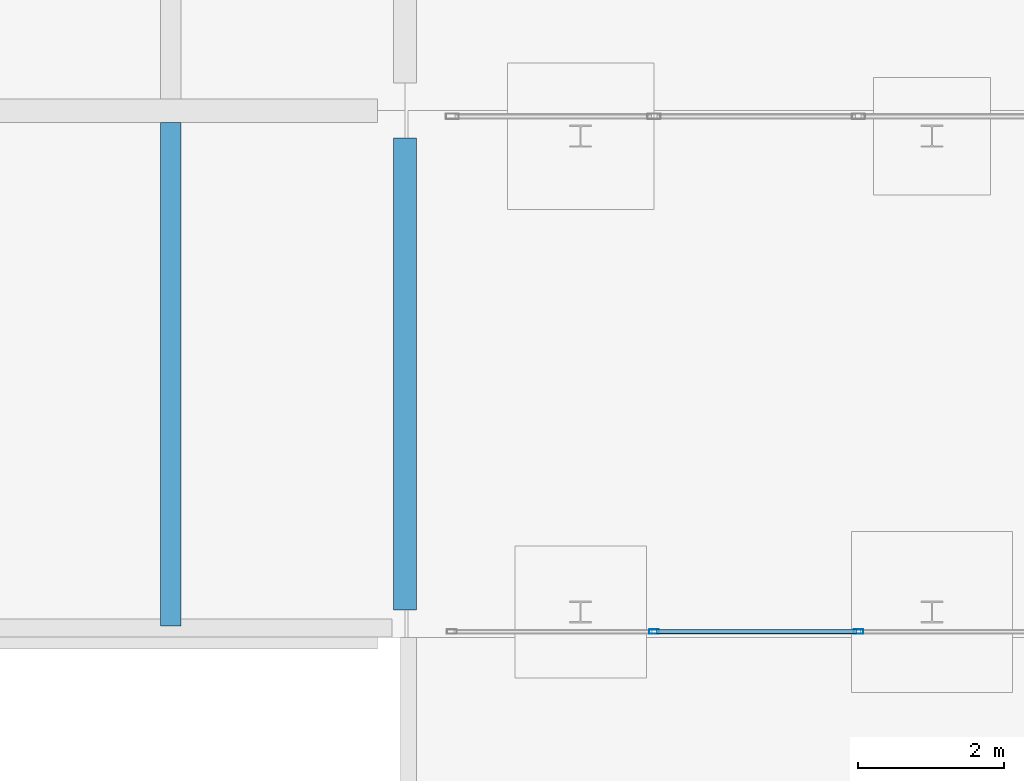
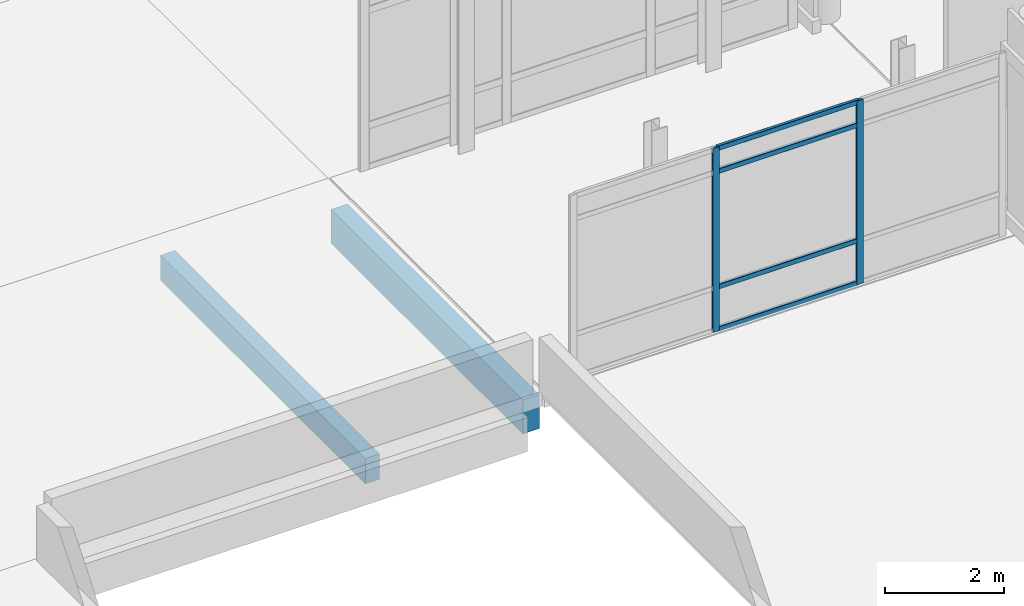
# One storey, part 73 of 196: 6 members, 2 beams, 1 element without a shape of its own.
"""IFC4 building model written with IfcOpenShell, lengths in metres."""

from ifc_helpers import new_model, si_unit, direction, frame, origin, origin_2d, place, context, subcontext, project, spatial, rectangle, hollow_rectangle, extrude, material, layer, layer_set, material_profile, profile_set, type_object, element, aggregate, save


model = new_model("IFC4")

# Units and contexts
model_context = context("Model", 3, precision=1e-05, world=origin(), true_north=direction((0.0, 1.0)))
body_context = subcontext(model_context, "Body", "Model", "MODEL_VIEW")
ifc_project = project(units=[si_unit("LENGTHUNIT", "METRE"), si_unit("AREAUNIT", "SQUARE_METRE"), si_unit("VOLUMEUNIT", "CUBIC_METRE"), si_unit("PLANEANGLEUNIT", "RADIAN"), si_unit("MASSUNIT", "GRAM", prefix="KILO")], contexts=[model_context])

# Site, building, storey
site_placement = place(None, origin())
site = spatial("IfcSite", under=ifc_project, at=site_placement, CompositionType="ELEMENT")
building_placement = place(site_placement, origin())
building = spatial("IfcBuilding", under=site, at=building_placement, Name="Asteropetra Specialist Clinic", CompositionType="ELEMENT")
storey_placement = place(building_placement, origin())
storey = spatial("IfcBuildingStorey", under=building, at=storey_placement, Name="L00", CompositionType="ELEMENT", Elevation=0.0)

# Curtain wall, members
ifc_material_1 = material(Name="Aluminium and low-E glass", Category="aluminium")
ifc_layer = layer(ifc_material_1, 0.14990234375)
ifc_layer_set = layer_set([ifc_layer], Name="Aluminium and low-E glass")
curtain_wall_type = type_object("IfcCurtainWallType", Name="CW-SYS-02", PredefinedType="USERDEFINED", material=ifc_layer_set)
curtain_wall_placement = place(storey_placement, origin())
curtain_wall = element("IfcCurtainWall", 1, at=curtain_wall_placement, inside=storey, type_object=curtain_wall_type, Name="Curtain Wall CW-113", ObjectType="UNITISED CURTAIN WALL", PredefinedType="USERDEFINED")
ifc_material_2 = material(Name="Aluminium 6063-T6", Category="aluminium")
ifc_material_profile_1 = material_profile(ifc_material_2, hollow_rectangle(XDim=0.06005859375, YDim=0.135009765625, WallThickness=0.00341796875, InnerFilletRadius=0.00341796875, OuterFilletRadius=0.007080078125, at=origin_2d()), Name="MUL 135x60x3.5")
ifc_profile_set_1 = profile_set([ifc_material_profile_1], Name="Aluminium 6063-T6")
member_type_1 = type_object("IfcMemberType", Name="CWM-135x60", PredefinedType="MULLION", material=ifc_profile_set_1)
member_1_placement = place(storey_placement, frame((70.603271484375, 48.080078125, 0.0), z_axis=(0.0, 0.0, 1.0), x_axis=(0.0, 1.0, 0.0)))
member_1 = element("IfcMember", 2, at=member_1_placement, type_object=member_type_1, Name="CW-113 mullion 2", PredefinedType="MULLION", context=body_context, shape_type="SweptSolid", body=[
    extrude(hollow_rectangle(XDim=0.06005859375, YDim=0.135009765625, WallThickness=0.00341796875, InnerFilletRadius=0.00341796875, OuterFilletRadius=0.007080078125, at=origin_2d()), origin(), (0.0, 0.0, 1.0), 3.77001953125),
])
member_2_placement = place(storey_placement, frame((73.396728515625, 48.080078125, 0.0), z_axis=(0.0, 0.0, 1.0), x_axis=(0.0, 1.0, 0.0)))
member_2 = element("IfcMember", 3, at=member_2_placement, type_object=member_type_1, Name="CW-113 mullion 3", PredefinedType="MULLION", context=body_context, shape_type="SweptSolid", body=[
    extrude(hollow_rectangle(XDim=0.06005859375, YDim=0.135009765625, WallThickness=0.00341796875, InnerFilletRadius=0.00341796875, OuterFilletRadius=0.007080078125, at=origin_2d()), origin(), (0.0, 0.0, 1.0), 3.77001953125),
])
ifc_material_3 = material(Name="Aluminium 6063-T6", Category="aluminium")
ifc_material_profile_2 = material_profile(ifc_material_3, hollow_rectangle(XDim=0.06005859375, YDim=0.10009765625, WallThickness=0.00341796875, InnerFilletRadius=0.00341796875, OuterFilletRadius=0.007080078125, at=origin_2d()), Name="TRN 100x60x3.5")
ifc_profile_set_2 = profile_set([ifc_material_profile_2], Name="Aluminium 6063-T6")
member_type_2 = type_object("IfcMemberType", Name="CWT-100x60", PredefinedType="USERDEFINED", material=ifc_profile_set_2)
member_3_placement = place(storey_placement, frame((70.63330078125, 48.080078125, 0.030029296875), z_axis=(1.0, 0.0, 0.0), x_axis=(0.0, 1.0, 0.0)))
member_3 = element("IfcMember", 4, at=member_3_placement, type_object=member_type_2, Name="CW-113 transom 2.1", ObjectType="TRANSOM", PredefinedType="USERDEFINED", context=body_context, shape_type="SweptSolid", body=[
    extrude(hollow_rectangle(XDim=0.06005859375, YDim=0.10009765625, WallThickness=0.00341796875, InnerFilletRadius=0.00341796875, OuterFilletRadius=0.007080078125, at=origin_2d()), origin(), (0.0, 0.0, 1.0), 2.7333984375),
])
member_4_placement = place(storey_placement, frame((70.63330078125, 48.080078125, 0.89990234375), z_axis=(1.0, 0.0, 0.0), x_axis=(0.0, 1.0, 0.0)))
member_4 = element("IfcMember", 5, at=member_4_placement, type_object=member_type_2, Name="CW-113 transom 2.2", ObjectType="TRANSOM", PredefinedType="USERDEFINED", context=body_context, shape_type="SweptSolid", body=[
    extrude(hollow_rectangle(XDim=0.06005859375, YDim=0.10009765625, WallThickness=0.00341796875, InnerFilletRadius=0.00341796875, OuterFilletRadius=0.007080078125, at=origin_2d()), origin(), (0.0, 0.0, 1.0), 2.7333984375),
])
member_5_placement = place(storey_placement, frame((70.63330078125, 48.080078125, 3.27001953125), z_axis=(1.0, 0.0, 0.0), x_axis=(0.0, 1.0, 0.0)))
member_5 = element("IfcMember", 6, at=member_5_placement, type_object=member_type_2, Name="CW-113 transom 2.3", ObjectType="TRANSOM", PredefinedType="USERDEFINED", context=body_context, shape_type="SweptSolid", body=[
    extrude(hollow_rectangle(XDim=0.06005859375, YDim=0.10009765625, WallThickness=0.00341796875, InnerFilletRadius=0.00341796875, OuterFilletRadius=0.007080078125, at=origin_2d()), origin(), (0.0, 0.0, 1.0), 2.7333984375),
])
member_6_placement = place(storey_placement, frame((70.63330078125, 48.080078125, 3.739990234375), z_axis=(1.0, 0.0, 0.0), x_axis=(0.0, 1.0, 0.0)))
member_6 = element("IfcMember", 7, at=member_6_placement, type_object=member_type_2, Name="CW-113 transom 2.4", ObjectType="TRANSOM", PredefinedType="USERDEFINED", context=body_context, shape_type="SweptSolid", body=[
    extrude(hollow_rectangle(XDim=0.06005859375, YDim=0.10009765625, WallThickness=0.00341796875, InnerFilletRadius=0.00341796875, OuterFilletRadius=0.007080078125, at=origin_2d()), origin(), (0.0, 0.0, 1.0), 2.7333984375),
])
aggregate(curtain_wall, [member_1, member_2, member_3, member_4, member_5, member_6])

# Beams
ifc_material_4 = material(Name="Concrete C35/45", Category="concrete")
ifc_material_profile_3 = material_profile(ifc_material_4, rectangle(XDim=0.280029296875, YDim=0.52001953125, at=origin_2d()), Name="RCJ 280x520")
ifc_profile_set_3 = profile_set([ifc_material_profile_3], Name="Concrete C35/45")
beam_type_1 = type_object("IfcBeamType", Name="JST-RC280x520", PredefinedType="JOIST", material=ifc_profile_set_3)
beam_1_placement = place(storey_placement, frame((64.0, 48.159912109375, -0.570068359375), z_axis=(0.0, 1.0, 0.0), x_axis=(-1.0, 0.0, 0.0)))
element("IfcBeam", 8, at=beam_1_placement, inside=storey, type_object=beam_type_1, Name="Joist JJST01-0123", PredefinedType="JOIST", context=body_context, shape_type="SweptSolid", body=[
    extrude(rectangle(XDim=0.280029296875, YDim=0.52001953125, at=origin_2d()), origin(), (0.0, 0.0, 1.0), 6.880126953125),
])
ifc_material_5 = material(Name="Concrete C35/45", Category="concrete")
ifc_material_profile_4 = material_profile(ifc_material_5, rectangle(XDim=0.320068359375, YDim=0.699951171875, at=origin_2d()), Name="RCS 320x700")
ifc_profile_set_4 = profile_set([ifc_material_profile_4], Name="Concrete C35/45")
beam_type_2 = type_object("IfcBeamType", Name="SPN-RC320x700", PredefinedType="SPANDREL", material=ifc_profile_set_4)
beam_2_placement = place(storey_placement, frame((67.199951171875, 48.375, -0.699951171875), z_axis=(0.0, 1.0, 0.0), x_axis=(-1.0, 0.0, 0.0)))
element("IfcBeam", 9, at=beam_2_placement, inside=storey, type_object=beam_type_2, Name="Beam BSPN02-0119", PredefinedType="SPANDREL", context=body_context, shape_type="SweptSolid", body=[
    extrude(rectangle(XDim=0.320068359375, YDim=0.699951171875, at=origin_2d()), origin(), (0.0, 0.0, 1.0), 6.449951171875),
])

save(model, "model.ifc")
